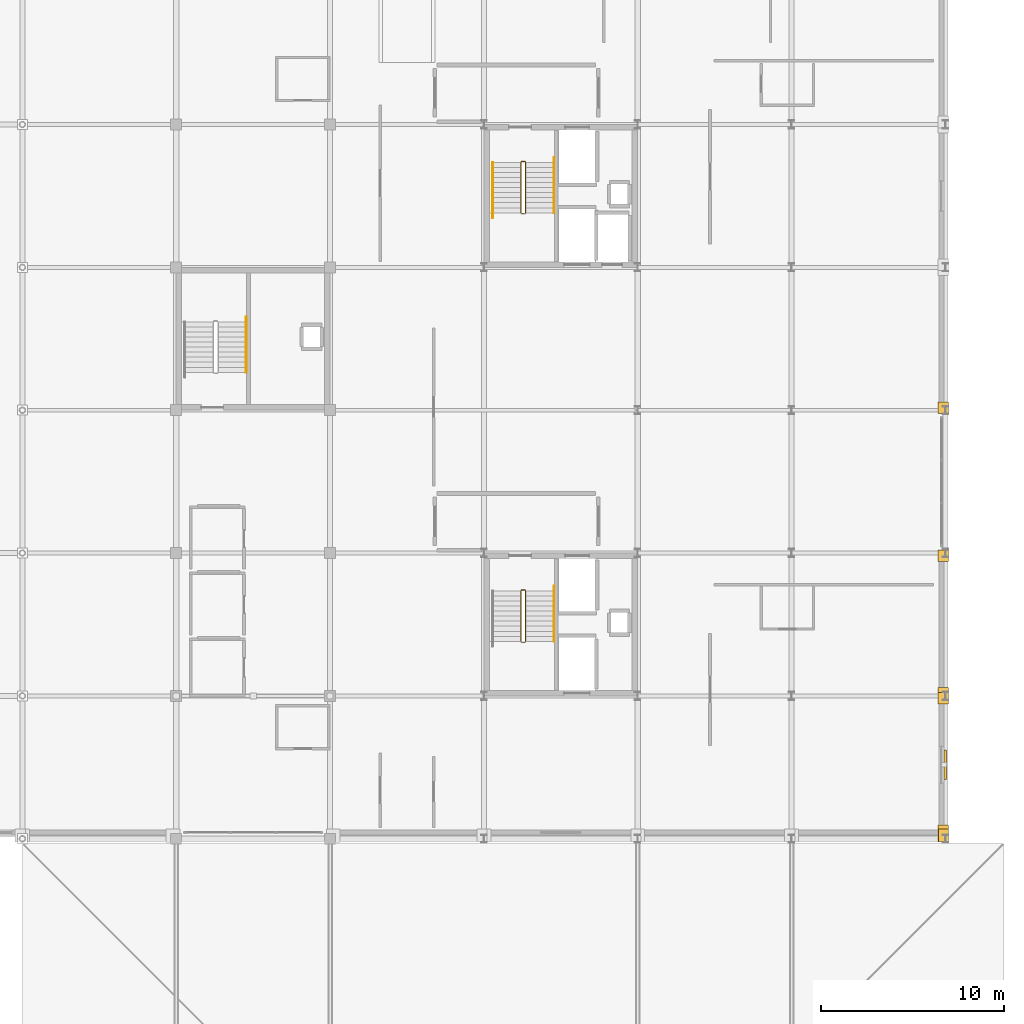
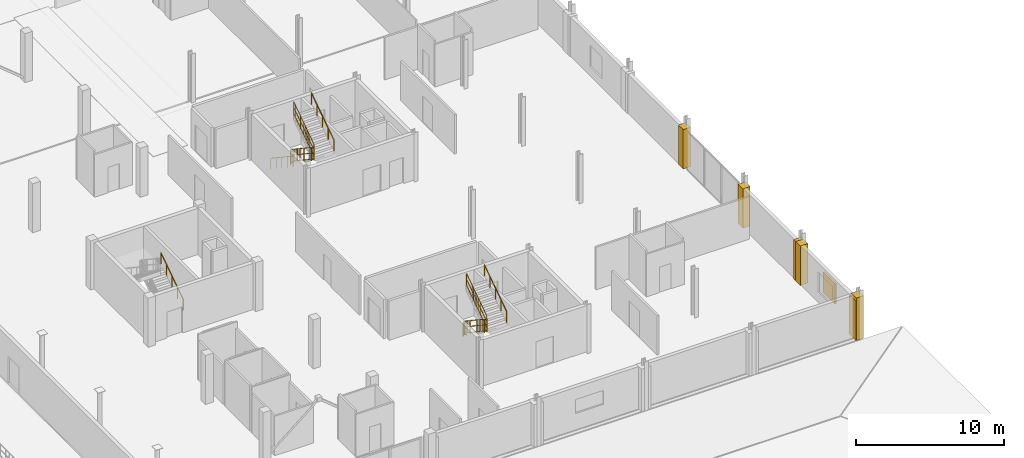
# One storey, part 23 of 25: 12 railings, 6 coverings, 1 shading device.
"""IFC4 building model written with IfcOpenShell, lengths in metres."""

from ifc_helpers import new_model, si_unit, direction, frame, origin, origin_2d, place, context, subcontext, project, spatial, polyline, rectangle, circle, outline, extrude, material, layer, layer_set, type_object, element, save


model = new_model("IFC4")

# Units and contexts
model_context = context("Model", 3, precision=1e-05, world=origin(), true_north=direction((0.0, 1.0)))
body_context = subcontext(model_context, "Body", "Model", "MODEL_VIEW")
ifc_project = project(units=[si_unit("LENGTHUNIT", "METRE"), si_unit("AREAUNIT", "SQUARE_METRE"), si_unit("VOLUMEUNIT", "CUBIC_METRE"), si_unit("PLANEANGLEUNIT", "RADIAN"), si_unit("MASSUNIT", "GRAM", prefix="KILO")], contexts=[model_context])

# Site, building, storey
site_placement = place(None, origin())
site = spatial("IfcSite", under=ifc_project, at=site_placement, CompositionType="ELEMENT")
building_placement = place(site_placement, origin())
building = spatial("IfcBuilding", under=site, at=building_placement, Name="Nabrawat Pavilion Hospital", CompositionType="ELEMENT")
storey_placement = place(building_placement, frame((0.0, 0.0, 22.949951171875)))
storey = spatial("IfcBuildingStorey", under=building, at=storey_placement, Name="L05", CompositionType="ELEMENT", Elevation=22.949951171875)

# Coverings
ifc_material_1 = material(Name="Precast concrete C40/50", Category="concrete")
ifc_layer_1 = layer(ifc_material_1, 0.360107421875, Name="Precast concrete C40/50")
ifc_layer_set_1 = layer_set([ifc_layer_1], Name="Precast concrete C40/50")
covering_type = type_object("IfcCoveringType", Name="Architectural Precast Column-Jamb Closure Reveal", PredefinedType="CLADDING", material=ifc_layer_set_1)
covering_1_placement = place(storey_placement, origin())
element("IfcCovering", 1, at=covering_1_placement, inside=storey, type_object=covering_type, Name="L05 Precast Facade Column-Jamb Weatherseal Closure 0593", PredefinedType="CLADDING", context=body_context, shape_type="SweptSolid", body=[
    extrude(outline(polyline([(193.3798828125, 38.820068359375), (193.3798828125, 39.52001953125), (192.820068359375, 39.52001953125), (192.820068359375, 38.820068359375), (193.3798828125, 38.820068359375)])), origin(), (0.0, 0.0, 1.0), 3.510009765625),
])
covering_2_placement = place(storey_placement, origin())
element("IfcCovering", 2, at=covering_2_placement, inside=storey, type_object=covering_type, Name="L05 Precast Facade Column-Jamb Weatherseal Closure 0594", PredefinedType="CLADDING", context=body_context, shape_type="SweptSolid", body=[
    extrude(outline(polyline([(193.3798828125, 38.820068359375), (193.3798828125, 39.739990234375), (192.800048828125, 39.739990234375), (192.800048828125, 38.820068359375), (193.3798828125, 38.820068359375)])), origin(), (0.0, 0.0, 1.0), 3.25),
])
covering_3_placement = place(storey_placement, origin())
element("IfcCovering", 3, at=covering_3_placement, inside=storey, type_object=covering_type, Name="L05 Precast Facade Column-Jamb Weatherseal Closure 0595", PredefinedType="CLADDING", context=body_context, shape_type="SweptSolid", body=[
    extrude(outline(polyline([(193.3798828125, 46.344970703125), (193.3798828125, 46.97998046875), (192.800048828125, 46.97998046875), (192.800048828125, 46.344970703125), (193.3798828125, 46.344970703125)])), origin(), (0.0, 0.0, 1.0), 3.25),
])
covering_4_placement = place(storey_placement, origin())
element("IfcCovering", 4, at=covering_4_placement, inside=storey, type_object=covering_type, Name="L05 Precast Facade Column-Jamb Weatherseal Closure 0596", PredefinedType="CLADDING", context=body_context, shape_type="SweptSolid", body=[
    extrude(outline(polyline([(193.3798828125, 46.6201171875), (193.3798828125, 47.2548828125), (192.800048828125, 47.2548828125), (192.800048828125, 46.6201171875), (193.3798828125, 46.6201171875)])), origin(), (0.0, 0.0, 1.0), 3.25),
])
covering_5_placement = place(storey_placement, origin())
element("IfcCovering", 5, at=covering_5_placement, inside=storey, type_object=covering_type, Name="L05 Precast Facade Column-Jamb Weatherseal Closure 0597", PredefinedType="CLADDING", context=body_context, shape_type="SweptSolid", body=[
    extrude(outline(polyline([(193.3798828125, 54.14501953125), (193.3798828125, 54.780029296875), (192.800048828125, 54.780029296875), (192.800048828125, 54.14501953125), (193.3798828125, 54.14501953125)])), origin(), (0.0, 0.0, 1.0), 3.25),
])
covering_6_placement = place(storey_placement, origin())
element("IfcCovering", 6, at=covering_6_placement, inside=storey, type_object=covering_type, Name="L05 Precast Facade Column-Jamb Weatherseal Closure 0598", PredefinedType="CLADDING", context=body_context, shape_type="SweptSolid", body=[
    extrude(outline(polyline([(193.3798828125, 62.219970703125), (193.3798828125, 62.85498046875), (192.800048828125, 62.85498046875), (192.800048828125, 62.219970703125), (193.3798828125, 62.219970703125)])), origin(), (0.0, 0.0, 1.0), 3.25),
])

# Shading device
ifc_layer_2 = layer(ifc_material_1, 2.39990234375, Name="Precast concrete C40/50")
ifc_layer_set_2 = layer_set([ifc_layer_2], Name="Precast concrete C40/50")
shading_device_type = type_object("IfcShadingDeviceType", Name="Perforated GFRC Mashrabiya Solar Fin", PredefinedType="JALOUSIE", material=ifc_layer_set_2)
shading_device_placement = place(storey_placement, frame((193.18994140625, 43.04248046875, 0.85009765625), z_axis=(0.0, 0.0, 1.0), x_axis=(0.0, 1.0, 0.0)))
element("IfcShadingDevice", 7, at=shading_device_placement, inside=storey, type_object=shading_device_type, Name="L05 Perforated GFRC Mashrabiya Screen 019", PredefinedType="JALOUSIE", context=body_context, shape_type="SweptSolid", body=[
    extrude(rectangle(XDim=1.60009765625, YDim=0.139892578125, at=origin_2d()), origin(), (0.0, 0.0, 1.0), 1.64990234375),
])

# Railings
ifc_material_2 = material(Name="Stainless Steel 316", Category="steel")
ifc_layer_3 = layer(ifc_material_2, 0.050048828125, Name="Stainless Steel 316")
ifc_layer_set_3 = layer_set([ifc_layer_3], Name="Stainless Steel 316")
railing_type_1 = type_object("IfcRailingType", Name="Stair Open-Well Safety Guardrail 1100", PredefinedType="GUARDRAIL", material=ifc_layer_set_3)
railing_1_placement = place(storey_placement, frame((170.02490234375, 52.530029296875, 0.18408203125)))
element("IfcRailing", 8, at=railing_1_placement, inside=storey, type_object=railing_type_1, Name="L05 ST-05 stair guard 1", PredefinedType="GUARDRAIL", context=body_context, shape_type="SweptSolid", body=[
    extrude(circle(Radius=0.02392578125, at=origin_2d()), frame((0.0, 0.0, 1.076171875), z_axis=(0.0, -0.830970512829, 0.556316462824), x_axis=(1.0, 0.0, 0.0)), (0.0, 0.0, 1.0), 3.309326171875),
    extrude(circle(Radius=0.02392578125, at=origin_2d()), frame((0.0, 0.0, 0.10009765625), z_axis=(0.0, -0.830970512829, 0.556316462824), x_axis=(1.0, 0.0, 0.0)), (0.0, 0.0, 1.0), 3.309326171875),
    extrude(circle(Radius=0.02392578125, at=origin_2d()), frame((0.0, 0.0, 0.60498046875), z_axis=(0.0, -0.830970512829, 0.556316462824), x_axis=(1.0, 0.0, 0.0)), (0.0, 0.0, 1.0), 3.309326171875),
    extrude(circle(Radius=0.008056640625, at=origin_2d()), frame((0.0, -0.196533203125, 0.2314453125)), (0.0, 0.0, 1.0), 0.951904296875),
    extrude(circle(Radius=0.008056640625, at=origin_2d()), frame((0.0, -0.392822265625, 0.363037109375)), (0.0, 0.0, 1.0), 0.951904296875),
    extrude(circle(Radius=0.008056640625, at=origin_2d()), frame((0.0, -0.58935546875, 0.49462890625)), (0.0, 0.0, 1.0), 0.951904296875),
    extrude(circle(Radius=0.008056640625, at=origin_2d()), frame((0.0, -0.78564453125, 0.6259765625)), (0.0, 0.0, 1.0), 0.951904296875),
    extrude(circle(Radius=0.008056640625, at=origin_2d()), frame((0.0, -0.982177734375, 0.757568359375)), (0.0, 0.0, 1.0), 0.951904296875),
    extrude(circle(Radius=0.008056640625, at=origin_2d()), frame((0.0, -1.178466796875, 0.888916015625)), (0.0, 0.0, 1.0), 0.951904296875),
    extrude(circle(Radius=0.008056640625, at=origin_2d()), frame((0.0, -1.375, 1.0205078125)), (0.0, 0.0, 1.0), 0.951904296875),
    extrude(circle(Radius=0.008056640625, at=origin_2d()), frame((0.0, -1.571533203125, 1.152099609375)), (0.0, 0.0, 1.0), 0.951904296875),
    extrude(circle(Radius=0.008056640625, at=origin_2d()), frame((0.0, -1.767822265625, 1.283447265625)), (0.0, 0.0, 1.0), 0.951904296875),
    extrude(circle(Radius=0.008056640625, at=origin_2d()), frame((0.0, -1.96435546875, 1.4150390625)), (0.0, 0.0, 1.0), 0.951904296875),
    extrude(circle(Radius=0.008056640625, at=origin_2d()), frame((0.0, -2.16064453125, 1.546630859375)), (0.0, 0.0, 1.0), 0.951904296875),
    extrude(circle(Radius=0.008056640625, at=origin_2d()), frame((0.0, -2.357177734375, 1.677978515625)), (0.0, 0.0, 1.0), 0.951904296875),
    extrude(circle(Radius=0.008056640625, at=origin_2d()), frame((0.0, -2.553466796875, 1.8095703125)), (0.0, 0.0, 1.0), 0.951904296875),
    extrude(circle(Radius=0.02099609375, at=origin_2d()), origin(), (0.0, 0.0, 1.0), 1.052001953125),
    extrude(circle(Radius=0.02099609375, at=origin_2d()), frame((0.0, -0.916748046875, 0.61376953125)), (0.0, 0.0, 1.0), 1.052001953125),
    extrude(circle(Radius=0.02099609375, at=origin_2d()), frame((0.0, -1.833251953125, 1.227294921875)), (0.0, 0.0, 1.0), 1.052001953125),
    extrude(circle(Radius=0.02099609375, at=origin_2d()), frame((0.0, -2.75, 1.841064453125)), (0.0, 0.0, 1.0), 1.052001953125),
])
railing_2_placement = place(storey_placement, frame((170.050048828125, 49.72998046875, 2.025146484375)))
element("IfcRailing", 9, at=railing_2_placement, inside=storey, type_object=railing_type_1, Name="L05 ST-05 stair guard 2", PredefinedType="GUARDRAIL", context=body_context, shape_type="SweptSolid", body=[
    extrude(circle(Radius=0.02392578125, at=origin_2d()), frame((0.0, 0.0, 1.076171875), z_axis=(1.0, 0.0, 0.0), x_axis=(0.0, 1.0, 0.0)), (0.0, 0.0, 1.0), 0.199951171875),
    extrude(circle(Radius=0.02392578125, at=origin_2d()), frame((0.0, 0.0, 0.10009765625), z_axis=(1.0, 0.0, 0.0), x_axis=(0.0, 1.0, 0.0)), (0.0, 0.0, 1.0), 0.199951171875),
    extrude(circle(Radius=0.02392578125, at=origin_2d()), frame((0.0, 0.0, 0.60498046875), z_axis=(1.0, 0.0, 0.0), x_axis=(0.0, 1.0, 0.0)), (0.0, 0.0, 1.0), 0.199951171875),
    extrude(circle(Radius=0.008056640625, at=origin_2d()), frame((0.10009765625, 0.0, 0.10009765625)), (0.0, 0.0, 1.0), 0.951904296875),
    extrude(circle(Radius=0.02099609375, at=origin_2d()), origin(), (0.0, 0.0, 1.0), 1.052001953125),
    extrude(circle(Radius=0.02099609375, at=origin_2d()), frame((0.199951171875, 0.0, 0.0)), (0.0, 0.0, 1.0), 1.052001953125),
])
railing_3_placement = place(storey_placement, frame((170.27490234375, 49.780029296875, 2.209228515625)))
element("IfcRailing", 10, at=railing_3_placement, inside=storey, type_object=railing_type_1, Name="L05 ST-05 stair guard 3", PredefinedType="GUARDRAIL", context=body_context, shape_type="SweptSolid", body=[
    extrude(circle(Radius=0.02392578125, at=origin_2d()), frame((0.0, 0.0, 1.076171875), z_axis=(0.0, 0.831004616288, 0.556265519071), x_axis=(-1.0, 0.0, 0.0)), (0.0, 0.0, 1.0), 3.309326171875),
    extrude(circle(Radius=0.02392578125, at=origin_2d()), frame((0.0, 0.0, 0.10009765625), z_axis=(0.0, 0.831004616288, 0.556265519071), x_axis=(-1.0, 0.0, 0.0)), (0.0, 0.0, 1.0), 3.309326171875),
    extrude(circle(Radius=0.02392578125, at=origin_2d()), frame((0.0, 0.0, 0.60498046875), z_axis=(0.0, 0.831004616288, 0.556265519071), x_axis=(-1.0, 0.0, 0.0)), (0.0, 0.0, 1.0), 3.309326171875),
    extrude(circle(Radius=0.008056640625, at=origin_2d()), frame((0.0, 0.196533203125, 0.2314453125)), (0.0, 0.0, 1.0), 0.951904296875),
    extrude(circle(Radius=0.008056640625, at=origin_2d()), frame((0.0, 0.392822265625, 0.363037109375)), (0.0, 0.0, 1.0), 0.951904296875),
    extrude(circle(Radius=0.008056640625, at=origin_2d()), frame((0.0, 0.58935546875, 0.494384765625)), (0.0, 0.0, 1.0), 0.951904296875),
    extrude(circle(Radius=0.008056640625, at=origin_2d()), frame((0.0, 0.78564453125, 0.6259765625)), (0.0, 0.0, 1.0), 0.951904296875),
    extrude(circle(Radius=0.008056640625, at=origin_2d()), frame((0.0, 0.982177734375, 0.75732421875)), (0.0, 0.0, 1.0), 0.951904296875),
    extrude(circle(Radius=0.008056640625, at=origin_2d()), frame((0.0, 1.178466796875, 0.888916015625)), (0.0, 0.0, 1.0), 0.951904296875),
    extrude(circle(Radius=0.008056640625, at=origin_2d()), frame((0.0, 1.375, 1.0205078125)), (0.0, 0.0, 1.0), 0.951904296875),
    extrude(circle(Radius=0.008056640625, at=origin_2d()), frame((0.0, 1.571533203125, 1.15185546875)), (0.0, 0.0, 1.0), 0.951904296875),
    extrude(circle(Radius=0.008056640625, at=origin_2d()), frame((0.0, 1.767822265625, 1.283447265625)), (0.0, 0.0, 1.0), 0.951904296875),
    extrude(circle(Radius=0.008056640625, at=origin_2d()), frame((0.0, 1.96435546875, 1.414794921875)), (0.0, 0.0, 1.0), 0.951904296875),
    extrude(circle(Radius=0.008056640625, at=origin_2d()), frame((0.0, 2.16064453125, 1.54638671875)), (0.0, 0.0, 1.0), 0.951904296875),
    extrude(circle(Radius=0.008056640625, at=origin_2d()), frame((0.0, 2.357177734375, 1.677734375)), (0.0, 0.0, 1.0), 0.951904296875),
    extrude(circle(Radius=0.008056640625, at=origin_2d()), frame((0.0, 2.553466796875, 1.809326171875)), (0.0, 0.0, 1.0), 0.951904296875),
    extrude(circle(Radius=0.02099609375, at=origin_2d()), origin(), (0.0, 0.0, 1.0), 1.052001953125),
    extrude(circle(Radius=0.02099609375, at=origin_2d()), frame((0.0, 0.916748046875, 0.613525390625)), (0.0, 0.0, 1.0), 1.052001953125),
    extrude(circle(Radius=0.02099609375, at=origin_2d()), frame((0.0, 1.833251953125, 1.227294921875)), (0.0, 0.0, 1.0), 1.052001953125),
    extrude(circle(Radius=0.02099609375, at=origin_2d()), frame((0.0, 2.75, 1.8408203125)), (0.0, 0.0, 1.0), 1.052001953125),
])
railing_4_placement = place(storey_placement, frame((170.050048828125, 52.580078125, 0.0)))
element("IfcRailing", 11, at=railing_4_placement, inside=storey, type_object=railing_type_1, Name="L05 ST-05 stair guard 4", PredefinedType="GUARDRAIL", context=body_context, shape_type="SweptSolid", body=[
    extrude(circle(Radius=0.02392578125, at=origin_2d()), frame((0.0, 0.0, 1.076171875), z_axis=(1.0, 0.0, 0.0), x_axis=(0.0, 1.0, 0.0)), (0.0, 0.0, 1.0), 0.199951171875),
    extrude(circle(Radius=0.02392578125, at=origin_2d()), frame((0.0, 0.0, 0.10009765625), z_axis=(1.0, 0.0, 0.0), x_axis=(0.0, 1.0, 0.0)), (0.0, 0.0, 1.0), 0.199951171875),
    extrude(circle(Radius=0.02392578125, at=origin_2d()), frame((0.0, 0.0, 0.60498046875), z_axis=(1.0, 0.0, 0.0), x_axis=(0.0, 1.0, 0.0)), (0.0, 0.0, 1.0), 0.199951171875),
    extrude(circle(Radius=0.008056640625, at=origin_2d()), frame((0.10009765625, 0.0, 0.10009765625)), (0.0, 0.0, 1.0), 0.951904296875),
    extrude(circle(Radius=0.02099609375, at=origin_2d()), origin(), (0.0, 0.0, 1.0), 1.052001953125),
    extrude(circle(Radius=0.02099609375, at=origin_2d()), frame((0.199951171875, 0.0, 0.0)), (0.0, 0.0, 1.0), 1.052001953125),
])
railing_5_placement = place(storey_placement, frame((170.02490234375, 75.929931640625, 0.18408203125)))
element("IfcRailing", 12, at=railing_5_placement, inside=storey, type_object=railing_type_1, Name="L05 ST-06 stair guard 1", PredefinedType="GUARDRAIL", context=body_context, shape_type="SweptSolid", body=[
    extrude(circle(Radius=0.02392578125, at=origin_2d()), frame((0.0, 0.0, 1.076171875), z_axis=(0.0, -0.830970512829, 0.556316462824), x_axis=(1.0, 0.0, 0.0)), (0.0, 0.0, 1.0), 3.309326171875),
    extrude(circle(Radius=0.02392578125, at=origin_2d()), frame((0.0, 0.0, 0.10009765625), z_axis=(0.0, -0.830970512829, 0.556316462824), x_axis=(1.0, 0.0, 0.0)), (0.0, 0.0, 1.0), 3.309326171875),
    extrude(circle(Radius=0.02392578125, at=origin_2d()), frame((0.0, 0.0, 0.60498046875), z_axis=(0.0, -0.830970512829, 0.556316462824), x_axis=(1.0, 0.0, 0.0)), (0.0, 0.0, 1.0), 3.309326171875),
    extrude(circle(Radius=0.008056640625, at=origin_2d()), frame((0.0, -0.196533203125, 0.2314453125)), (0.0, 0.0, 1.0), 0.951904296875),
    extrude(circle(Radius=0.008056640625, at=origin_2d()), frame((0.0, -0.392822265625, 0.363037109375)), (0.0, 0.0, 1.0), 0.951904296875),
    extrude(circle(Radius=0.008056640625, at=origin_2d()), frame((0.0, -0.58935546875, 0.49462890625)), (0.0, 0.0, 1.0), 0.951904296875),
    extrude(circle(Radius=0.008056640625, at=origin_2d()), frame((0.0, -0.78564453125, 0.6259765625)), (0.0, 0.0, 1.0), 0.951904296875),
    extrude(circle(Radius=0.008056640625, at=origin_2d()), frame((0.0, -0.982177734375, 0.757568359375)), (0.0, 0.0, 1.0), 0.951904296875),
    extrude(circle(Radius=0.008056640625, at=origin_2d()), frame((0.0, -1.178466796875, 0.888916015625)), (0.0, 0.0, 1.0), 0.951904296875),
    extrude(circle(Radius=0.008056640625, at=origin_2d()), frame((0.0, -1.375, 1.0205078125)), (0.0, 0.0, 1.0), 0.951904296875),
    extrude(circle(Radius=0.008056640625, at=origin_2d()), frame((0.0, -1.571533203125, 1.152099609375)), (0.0, 0.0, 1.0), 0.951904296875),
    extrude(circle(Radius=0.008056640625, at=origin_2d()), frame((0.0, -1.767822265625, 1.283447265625)), (0.0, 0.0, 1.0), 0.951904296875),
    extrude(circle(Radius=0.008056640625, at=origin_2d()), frame((0.0, -1.96435546875, 1.4150390625)), (0.0, 0.0, 1.0), 0.951904296875),
    extrude(circle(Radius=0.008056640625, at=origin_2d()), frame((0.0, -2.16064453125, 1.546630859375)), (0.0, 0.0, 1.0), 0.951904296875),
    extrude(circle(Radius=0.008056640625, at=origin_2d()), frame((0.0, -2.357177734375, 1.677978515625)), (0.0, 0.0, 1.0), 0.951904296875),
    extrude(circle(Radius=0.008056640625, at=origin_2d()), frame((0.0, -2.553466796875, 1.8095703125)), (0.0, 0.0, 1.0), 0.951904296875),
    extrude(circle(Radius=0.02099609375, at=origin_2d()), origin(), (0.0, 0.0, 1.0), 1.052001953125),
    extrude(circle(Radius=0.02099609375, at=origin_2d()), frame((0.0, -0.916748046875, 0.61376953125)), (0.0, 0.0, 1.0), 1.052001953125),
    extrude(circle(Radius=0.02099609375, at=origin_2d()), frame((0.0, -1.833251953125, 1.227294921875)), (0.0, 0.0, 1.0), 1.052001953125),
    extrude(circle(Radius=0.02099609375, at=origin_2d()), frame((0.0, -2.75, 1.841064453125)), (0.0, 0.0, 1.0), 1.052001953125),
])
railing_6_placement = place(storey_placement, frame((170.050048828125, 73.1298828125, 2.025146484375)))
element("IfcRailing", 13, at=railing_6_placement, inside=storey, type_object=railing_type_1, Name="L05 ST-06 stair guard 2", PredefinedType="GUARDRAIL", context=body_context, shape_type="SweptSolid", body=[
    extrude(circle(Radius=0.02392578125, at=origin_2d()), frame((0.0, 0.0, 1.076171875), z_axis=(1.0, 0.0, 0.0), x_axis=(0.0, 1.0, 0.0)), (0.0, 0.0, 1.0), 0.199951171875),
    extrude(circle(Radius=0.02392578125, at=origin_2d()), frame((0.0, 0.0, 0.10009765625), z_axis=(1.0, 0.0, 0.0), x_axis=(0.0, 1.0, 0.0)), (0.0, 0.0, 1.0), 0.199951171875),
    extrude(circle(Radius=0.02392578125, at=origin_2d()), frame((0.0, 0.0, 0.60498046875), z_axis=(1.0, 0.0, 0.0), x_axis=(0.0, 1.0, 0.0)), (0.0, 0.0, 1.0), 0.199951171875),
    extrude(circle(Radius=0.008056640625, at=origin_2d()), frame((0.10009765625, 0.0, 0.10009765625)), (0.0, 0.0, 1.0), 0.951904296875),
    extrude(circle(Radius=0.02099609375, at=origin_2d()), origin(), (0.0, 0.0, 1.0), 1.052001953125),
    extrude(circle(Radius=0.02099609375, at=origin_2d()), frame((0.199951171875, 0.0, 0.0)), (0.0, 0.0, 1.0), 1.052001953125),
])
railing_7_placement = place(storey_placement, frame((170.27490234375, 73.179931640625, 2.209228515625)))
element("IfcRailing", 14, at=railing_7_placement, inside=storey, type_object=railing_type_1, Name="L05 ST-06 stair guard 3", PredefinedType="GUARDRAIL", context=body_context, shape_type="SweptSolid", body=[
    extrude(circle(Radius=0.02392578125, at=origin_2d()), frame((0.0, 0.0, 1.076171875), z_axis=(0.0, 0.831004616288, 0.556265519071), x_axis=(-1.0, 0.0, 0.0)), (0.0, 0.0, 1.0), 3.309326171875),
    extrude(circle(Radius=0.02392578125, at=origin_2d()), frame((0.0, 0.0, 0.10009765625), z_axis=(0.0, 0.831004616288, 0.556265519071), x_axis=(-1.0, 0.0, 0.0)), (0.0, 0.0, 1.0), 3.309326171875),
    extrude(circle(Radius=0.02392578125, at=origin_2d()), frame((0.0, 0.0, 0.60498046875), z_axis=(0.0, 0.831004616288, 0.556265519071), x_axis=(-1.0, 0.0, 0.0)), (0.0, 0.0, 1.0), 3.309326171875),
    extrude(circle(Radius=0.008056640625, at=origin_2d()), frame((0.0, 0.196533203125, 0.2314453125)), (0.0, 0.0, 1.0), 0.951904296875),
    extrude(circle(Radius=0.008056640625, at=origin_2d()), frame((0.0, 0.392822265625, 0.363037109375)), (0.0, 0.0, 1.0), 0.951904296875),
    extrude(circle(Radius=0.008056640625, at=origin_2d()), frame((0.0, 0.58935546875, 0.494384765625)), (0.0, 0.0, 1.0), 0.951904296875),
    extrude(circle(Radius=0.008056640625, at=origin_2d()), frame((0.0, 0.78564453125, 0.6259765625)), (0.0, 0.0, 1.0), 0.951904296875),
    extrude(circle(Radius=0.008056640625, at=origin_2d()), frame((0.0, 0.982177734375, 0.75732421875)), (0.0, 0.0, 1.0), 0.951904296875),
    extrude(circle(Radius=0.008056640625, at=origin_2d()), frame((0.0, 1.178466796875, 0.888916015625)), (0.0, 0.0, 1.0), 0.951904296875),
    extrude(circle(Radius=0.008056640625, at=origin_2d()), frame((0.0, 1.375, 1.0205078125)), (0.0, 0.0, 1.0), 0.951904296875),
    extrude(circle(Radius=0.008056640625, at=origin_2d()), frame((0.0, 1.571533203125, 1.15185546875)), (0.0, 0.0, 1.0), 0.951904296875),
    extrude(circle(Radius=0.008056640625, at=origin_2d()), frame((0.0, 1.767822265625, 1.283447265625)), (0.0, 0.0, 1.0), 0.951904296875),
    extrude(circle(Radius=0.008056640625, at=origin_2d()), frame((0.0, 1.96435546875, 1.414794921875)), (0.0, 0.0, 1.0), 0.951904296875),
    extrude(circle(Radius=0.008056640625, at=origin_2d()), frame((0.0, 2.16064453125, 1.54638671875)), (0.0, 0.0, 1.0), 0.951904296875),
    extrude(circle(Radius=0.008056640625, at=origin_2d()), frame((0.0, 2.357177734375, 1.677734375)), (0.0, 0.0, 1.0), 0.951904296875),
    extrude(circle(Radius=0.008056640625, at=origin_2d()), frame((0.0, 2.553466796875, 1.809326171875)), (0.0, 0.0, 1.0), 0.951904296875),
    extrude(circle(Radius=0.02099609375, at=origin_2d()), origin(), (0.0, 0.0, 1.0), 1.052001953125),
    extrude(circle(Radius=0.02099609375, at=origin_2d()), frame((0.0, 0.916748046875, 0.613525390625)), (0.0, 0.0, 1.0), 1.052001953125),
    extrude(circle(Radius=0.02099609375, at=origin_2d()), frame((0.0, 1.833251953125, 1.227294921875)), (0.0, 0.0, 1.0), 1.052001953125),
    extrude(circle(Radius=0.02099609375, at=origin_2d()), frame((0.0, 2.75, 1.8408203125)), (0.0, 0.0, 1.0), 1.052001953125),
])
railing_8_placement = place(storey_placement, frame((170.050048828125, 75.97998046875, 0.0)))
element("IfcRailing", 15, at=railing_8_placement, inside=storey, type_object=railing_type_1, Name="L05 ST-06 stair guard 4", PredefinedType="GUARDRAIL", context=body_context, shape_type="SweptSolid", body=[
    extrude(circle(Radius=0.02392578125, at=origin_2d()), frame((0.0, 0.0, 1.076171875), z_axis=(1.0, 0.0, 0.0), x_axis=(0.0, 1.0, 0.0)), (0.0, 0.0, 1.0), 0.199951171875),
    extrude(circle(Radius=0.02392578125, at=origin_2d()), frame((0.0, 0.0, 0.10009765625), z_axis=(1.0, 0.0, 0.0), x_axis=(0.0, 1.0, 0.0)), (0.0, 0.0, 1.0), 0.199951171875),
    extrude(circle(Radius=0.02392578125, at=origin_2d()), frame((0.0, 0.0, 0.60498046875), z_axis=(1.0, 0.0, 0.0), x_axis=(0.0, 1.0, 0.0)), (0.0, 0.0, 1.0), 0.199951171875),
    extrude(circle(Radius=0.008056640625, at=origin_2d()), frame((0.10009765625, 0.0, 0.10009765625)), (0.0, 0.0, 1.0), 0.951904296875),
    extrude(circle(Radius=0.02099609375, at=origin_2d()), origin(), (0.0, 0.0, 1.0), 1.052001953125),
    extrude(circle(Radius=0.02099609375, at=origin_2d()), frame((0.199951171875, 0.0, 0.0)), (0.0, 0.0, 1.0), 1.052001953125),
])
ifc_layer_4 = layer(ifc_material_2, 0.044921875, Name="Stainless Steel 316")
ifc_layer_set_4 = layer_set([ifc_layer_4], Name="Stainless Steel 316")
railing_type_2 = type_object("IfcRailingType", Name="Stair Pitch Continuous Handrail 920", PredefinedType="HANDRAIL", material=ifc_layer_set_4)
railing_9_placement = place(storey_placement, frame((171.824951171875, 49.780029296875, 2.213134765625)))
element("IfcRailing", 16, at=railing_9_placement, inside=storey, type_object=railing_type_2, Name="L05 ST-05 stair handrail 2", PredefinedType="HANDRAIL", context=body_context, shape_type="SweptSolid", body=[
    extrude(circle(Radius=0.02392578125, at=origin_2d()), frame((0.0, 0.0, 0.89599609375), z_axis=(0.0, 0.830965310578, 0.556324233353), x_axis=(-1.0, 0.0, 0.0)), (0.0, 0.0, 1.0), 3.64013671875),
    extrude(circle(Radius=0.02099609375, at=origin_2d()), origin(), (0.0, 0.0, 1.0), 0.871826171875),
    extrude(circle(Radius=0.02099609375, at=origin_2d()), frame((0.0, 0.75634765625, 0.50634765625)), (0.0, 0.0, 1.0), 0.871826171875),
    extrude(circle(Radius=0.02099609375, at=origin_2d()), frame((0.0, 1.512451171875, 1.0126953125)), (0.0, 0.0, 1.0), 0.871826171875),
    extrude(circle(Radius=0.02099609375, at=origin_2d()), frame((0.0, 2.2685546875, 1.518798828125)), (0.0, 0.0, 1.0), 0.871826171875),
    extrude(circle(Radius=0.02099609375, at=origin_2d()), frame((0.0, 3.02490234375, 2.025146484375)), (0.0, 0.0, 1.0), 0.871826171875),
])
railing_10_placement = place(storey_placement, frame((168.47509765625, 75.929931640625, 0.188232421875)))
element("IfcRailing", 17, at=railing_10_placement, inside=storey, type_object=railing_type_2, Name="L05 ST-06 stair handrail 1", PredefinedType="HANDRAIL", context=body_context, shape_type="SweptSolid", body=[
    extrude(circle(Radius=0.02392578125, at=origin_2d()), frame((0.0, 0.0, 0.89599609375), z_axis=(0.0, -0.830996314782, 0.556277920484), x_axis=(1.0, 0.0, 0.0)), (0.0, 0.0, 1.0), 3.64013671875),
    extrude(circle(Radius=0.02099609375, at=origin_2d()), origin(), (0.0, 0.0, 1.0), 0.871826171875),
    extrude(circle(Radius=0.02099609375, at=origin_2d()), frame((0.0, -0.75634765625, 0.50634765625)), (0.0, 0.0, 1.0), 0.871826171875),
    extrude(circle(Radius=0.02099609375, at=origin_2d()), frame((0.0, -1.512451171875, 1.012451171875)), (0.0, 0.0, 1.0), 0.871826171875),
    extrude(circle(Radius=0.02099609375, at=origin_2d()), frame((0.0, -2.2685546875, 1.5185546875)), (0.0, 0.0, 1.0), 0.871826171875),
    extrude(circle(Radius=0.02099609375, at=origin_2d()), frame((0.0, -3.02490234375, 2.02490234375)), (0.0, 0.0, 1.0), 0.871826171875),
])
railing_11_placement = place(storey_placement, frame((171.824951171875, 73.179931640625, 2.213134765625)))
element("IfcRailing", 18, at=railing_11_placement, inside=storey, type_object=railing_type_2, Name="L05 ST-06 stair handrail 2", PredefinedType="HANDRAIL", context=body_context, shape_type="SweptSolid", body=[
    extrude(circle(Radius=0.02392578125, at=origin_2d()), frame((0.0, 0.0, 0.89599609375), z_axis=(0.0, 0.830986065984, 0.556293230356), x_axis=(-1.0, 0.0, 0.0)), (0.0, 0.0, 1.0), 3.640380859375),
    extrude(circle(Radius=0.02099609375, at=origin_2d()), origin(), (0.0, 0.0, 1.0), 0.871826171875),
    extrude(circle(Radius=0.02099609375, at=origin_2d()), frame((0.0, 0.75634765625, 0.50634765625)), (0.0, 0.0, 1.0), 0.871826171875),
    extrude(circle(Radius=0.02099609375, at=origin_2d()), frame((0.0, 1.5126953125, 1.0126953125)), (0.0, 0.0, 1.0), 0.871826171875),
    extrude(circle(Radius=0.02099609375, at=origin_2d()), frame((0.0, 2.268798828125, 1.518798828125)), (0.0, 0.0, 1.0), 0.871826171875),
    extrude(circle(Radius=0.02099609375, at=origin_2d()), frame((0.0, 3.025146484375, 2.025146484375)), (0.0, 0.0, 1.0), 0.871826171875),
])
railing_12_placement = place(storey_placement, frame((155.02490234375, 64.469970703125, 0.188232421875)))
element("IfcRailing", 19, at=railing_12_placement, inside=storey, type_object=railing_type_2, Name="L05 ST-09 stair handrail 1", PredefinedType="HANDRAIL", context=body_context, shape_type="SweptSolid", body=[
    extrude(circle(Radius=0.02392578125, at=origin_2d()), frame((0.0, 0.0, 0.89599609375), z_axis=(0.0, 0.831017067507, 0.556246917755), x_axis=(-1.0, 0.0, 0.0)), (0.0, 0.0, 1.0), 3.640380859375),
    extrude(circle(Radius=0.02099609375, at=origin_2d()), origin(), (0.0, 0.0, 1.0), 0.871826171875),
    extrude(circle(Radius=0.02099609375, at=origin_2d()), frame((0.0, 0.75634765625, 0.50634765625)), (0.0, 0.0, 1.0), 0.871826171875),
    extrude(circle(Radius=0.02099609375, at=origin_2d()), frame((0.0, 1.5126953125, 1.012451171875)), (0.0, 0.0, 1.0), 0.871826171875),
    extrude(circle(Radius=0.02099609375, at=origin_2d()), frame((0.0, 2.268798828125, 1.5185546875)), (0.0, 0.0, 1.0), 0.871826171875),
    extrude(circle(Radius=0.02099609375, at=origin_2d()), frame((0.0, 3.025146484375, 2.02490234375)), (0.0, 0.0, 1.0), 0.871826171875),
])

save(model, "model.ifc")
